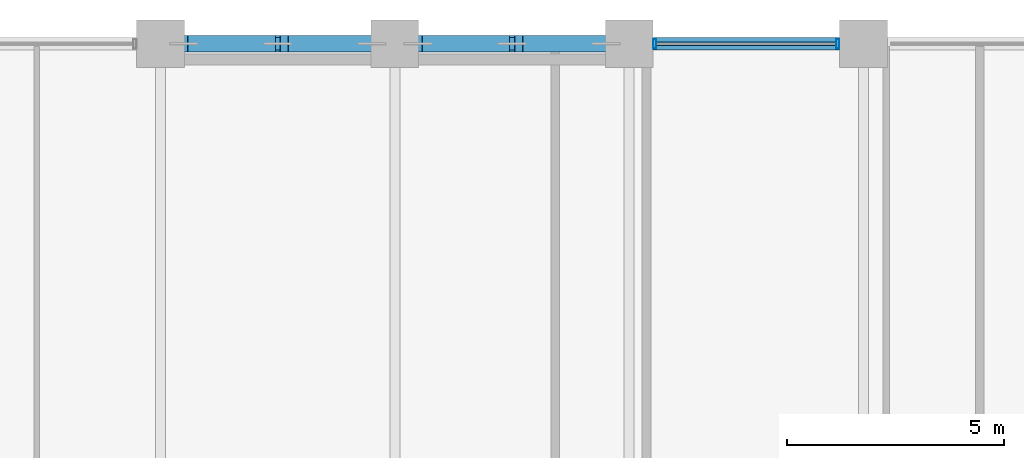
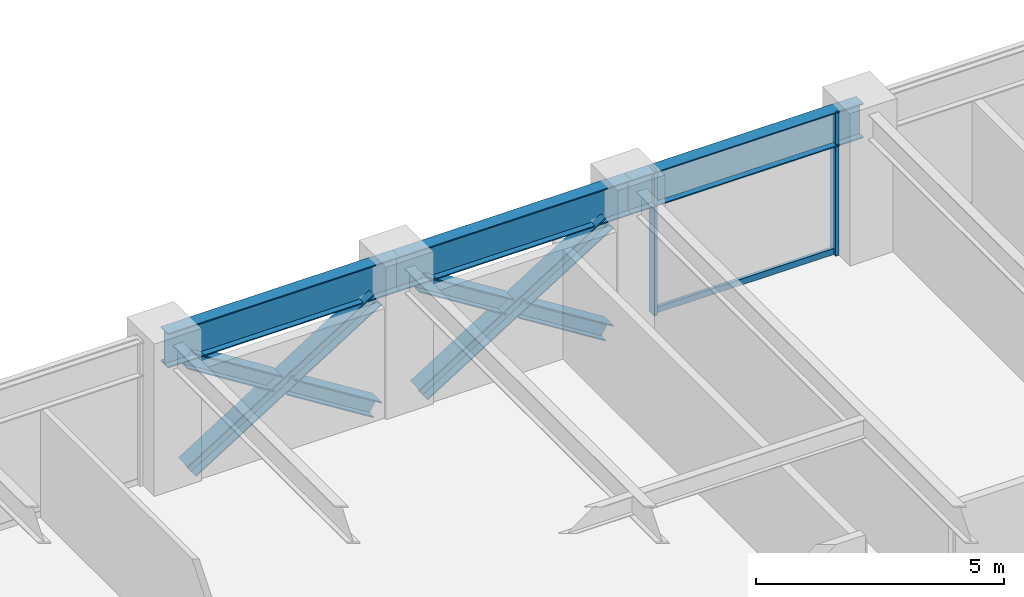
# One storey, part 15 of 25: 9 members, 3 beams, 1 element without a shape of its own.
"""IFC4 building model written with IfcOpenShell, lengths in metres."""

from ifc_helpers import new_model, si_unit, direction, frame, origin, origin_2d, place, context, subcontext, project, spatial, hollow_rectangle, i_section, extrude, material, layer, layer_set, material_profile, profile_set, type_object, element, aggregate, save


model = new_model("IFC4")

# Units and contexts
model_context = context("Model", 3, precision=1e-05, world=origin(), true_north=direction((0.0, 1.0)))
body_context = subcontext(model_context, "Body", "Model", "MODEL_VIEW")
ifc_project = project(units=[si_unit("LENGTHUNIT", "METRE"), si_unit("AREAUNIT", "SQUARE_METRE"), si_unit("VOLUMEUNIT", "CUBIC_METRE"), si_unit("PLANEANGLEUNIT", "RADIAN"), si_unit("MASSUNIT", "GRAM", prefix="KILO")], contexts=[model_context])

# Site, building, storey
site_placement = place(None, origin())
site = spatial("IfcSite", under=ifc_project, at=site_placement, CompositionType="ELEMENT")
building_placement = place(site_placement, origin())
building = spatial("IfcBuilding", under=site, at=building_placement, Name="Surkhivell Harbour Commons", CompositionType="ELEMENT")
storey_placement = place(building_placement, frame((0.0, 0.0, 94.5)))
storey = spatial("IfcBuildingStorey", under=building, at=storey_placement, Name="L24", CompositionType="ELEMENT", Elevation=94.5)

# Beams
ifc_material_1 = material(Name="Steel S460", Category="steel")
ifc_material_profile_1 = material_profile(ifc_material_1, i_section(OverallWidth=0.2939453125, OverallDepth=0.85107421875, WebThickness=0.01611328125, FlangeThickness=0.02685546875, at=origin_2d()), Name="UB838x292x226")
ifc_profile_set_1 = profile_set([ifc_material_profile_1], Name="Steel S460")
beam_type = type_object("IfcBeamType", Name="BM-SPN-838", PredefinedType="SPANDREL", material=ifc_profile_set_1)
for number, where, z_axis, x_axis, name in (
    (1, (-5.39990234375, 25.89990234375, 3.14453125), (1.0, 0.0, 0.0), (0.0, 1.0, 0.0), "L24 Tube Spandrel (-5.4,25.9)"),
    (2, (0.0, 25.89990234375, 3.14453125), (1.0, 0.0, 0.0), (0.0, 1.0, 0.0), "L24 Tube Spandrel (-0.0,25.9)"),
):
    element("IfcBeam", number, at=place(storey_placement, frame(where, z_axis=z_axis, x_axis=x_axis)), inside=storey, type_object=beam_type, Name=name, PredefinedType="SPANDREL", context=body_context, shape_type="SweptSolid", body=[
        extrude(i_section(OverallWidth=0.2939453125, OverallDepth=0.85107421875, WebThickness=0.01611328125, FlangeThickness=0.02685546875, at=origin_2d()), origin(), (0.0, 0.0, 1.0), 5.39990234375),
    ])
beam_placement = place(storey_placement, frame((5.39990234375, 25.89990234375, 3.14453125), z_axis=(1.0, 0.0, 0.0), x_axis=(0.0, 1.0, 0.0)))
element("IfcBeam", 3, at=beam_placement, inside=storey, type_object=beam_type, Name="L24 Tube Spandrel (5.4,25.9)", PredefinedType="SPANDREL", context=body_context, shape_type="SweptSolid", body=[
    extrude(i_section(OverallWidth=0.2939453125, OverallDepth=0.85107421875, WebThickness=0.01611328125, FlangeThickness=0.02685546875, at=origin_2d()), origin(), (0.0, 0.0, 1.0), 5.400146484375),
])

# Curtain wall, members
ifc_material_2 = material(Name="Anodised pale-metal aluminium and insulated glazing", Category="aluminium")
ifc_layer = layer(ifc_material_2, 0.205078125)
ifc_layer_set = layer_set([ifc_layer], Name="Anodised pale-metal aluminium and insulated glazing")
curtain_wall_type = type_object("IfcCurtainWallType", Name="CW-SYS-Z2", PredefinedType="NOTDEFINED", material=ifc_layer_set)
curtain_wall_placement = place(storey_placement, origin())
curtain_wall = element("IfcCurtainWall", 4, at=curtain_wall_placement, inside=storey, type_object=curtain_wall_type, Name="L24 Curtain Wall CW-L24-E07S1", PredefinedType="NOTDEFINED")
ifc_material_3 = material(Name="Anodised pale-metal aluminium alloy 6063-T6", Category="aluminium")
ifc_material_profile_2 = material_profile(ifc_material_3, hollow_rectangle(XDim=0.074951171875, YDim=0.219970703125, WallThickness=0.00390625, at=origin_2d()), Name="ALU-MULL-75x220")
ifc_profile_set_2 = profile_set([ifc_material_profile_2], Name="Anodised pale-metal aluminium alloy 6063-T6")
member_type_1 = type_object("IfcMemberType", Name="CWM-220", PredefinedType="MULLION", material=ifc_profile_set_2)
member_1_placement = place(storey_placement, frame((10.21044921875, 25.89990234375, 0.0), z_axis=(0.0, 0.0, 1.0), x_axis=(-1.0, 0.0, 0.0)))
member_1 = element("IfcMember", 5, at=member_1_placement, type_object=member_type_1, Name="CW-Z2 mullion 2", PredefinedType="MULLION", context=body_context, shape_type="SweptSolid", body=[
    extrude(hollow_rectangle(XDim=0.074951171875, YDim=0.219970703125, WallThickness=0.00390625, at=origin_2d()), origin(), (0.0, 0.0, 1.0), 3.570068359375),
])
member_2_placement = place(storey_placement, frame((5.989501953125, 25.89990234375, 0.0), z_axis=(0.0, 0.0, 1.0), x_axis=(-1.0, 0.0, 0.0)))
member_2 = element("IfcMember", 6, at=member_2_placement, type_object=member_type_1, Name="CW-Z2 mullion 3", PredefinedType="MULLION", context=body_context, shape_type="SweptSolid", body=[
    extrude(hollow_rectangle(XDim=0.074951171875, YDim=0.219970703125, WallThickness=0.00390625, at=origin_2d()), origin(), (0.0, 0.0, 1.0), 3.570068359375),
])
ifc_material_profile_3 = material_profile(ifc_material_3, hollow_rectangle(XDim=0.074951171875, YDim=0.14990234375, WallThickness=0.00341796875, at=origin_2d()), Name="ALU-TRAN-75x150")
ifc_profile_set_3 = profile_set([ifc_material_profile_3], Name="Anodised pale-metal aluminium alloy 6063-T6")
member_type_2 = type_object("IfcMemberType", Name="CWT-150", PredefinedType="USERDEFINED", material=ifc_profile_set_3)
member_3_placement = place(storey_placement, frame((10.173095703125, 25.89990234375, 0.074951171875), z_axis=(-1.0, 0.0, 0.0), x_axis=(0.0, -1.0, 0.0)))
member_3 = element("IfcMember", 7, at=member_3_placement, type_object=member_type_2, Name="CW-Z2 transom 2.1", ObjectType="TRANSOM", PredefinedType="USERDEFINED", context=body_context, shape_type="SweptSolid", body=[
    extrude(hollow_rectangle(XDim=0.074951171875, YDim=0.14990234375, WallThickness=0.00341796875, at=origin_2d()), origin(), (0.0, 0.0, 1.0), 4.14599609375),
])
aggregate(curtain_wall, [member_1, member_2, member_3])

# Members
ifc_material_profile_4 = material_profile(ifc_material_1, i_section(OverallWidth=0.375, OverallDepth=0.375, WebThickness=0.0166015625, FlangeThickness=0.027099609375, at=origin_2d()), Name="UC356x368x202")
ifc_profile_set_4 = profile_set([ifc_material_profile_4], Name="Steel S460")
member_type_3 = type_object("IfcMemberType", Name="MEM-BRC-UC356", PredefinedType="BRACE", material=ifc_profile_set_4)
member_4_placement = place(storey_placement, frame((-4.864990234375, 25.89990234375, 0.008056640625), z_axis=(0.847246015888, 0.0, 0.531200704594), x_axis=(0.0, 1.0, 0.0)))
element("IfcMember", 8, at=member_4_placement, inside=storey, type_object=member_type_3, Name="L24 Perimeter Mega-Brace MB- 01", PredefinedType="BRACE", context=body_context, shape_type="SweptSolid", body=[
    extrude(i_section(OverallWidth=0.375, OverallDepth=0.375, WebThickness=0.0166015625, FlangeThickness=0.027099609375, at=origin_2d()), origin(), (0.0, 0.0, 1.0), 5.11083984375),
])
member_5_placement = place(storey_placement, frame((-0.534912109375, 25.89990234375, 0.008056640625), z_axis=(-0.8472353132, 0.0, 0.531217774615), x_axis=(0.0, -1.0, 0.0)))
element("IfcMember", 9, at=member_5_placement, inside=storey, type_object=member_type_3, Name="L24 Perimeter Mega-Brace MB- 02", PredefinedType="BRACE", context=body_context, shape_type="SweptSolid", body=[
    extrude(i_section(OverallWidth=0.375, OverallDepth=0.375, WebThickness=0.0166015625, FlangeThickness=0.027099609375, at=origin_2d()), origin(), (0.0, 0.0, 1.0), 2.37548828125),
])
member_6_placement = place(storey_placement, frame((-2.8525390625, 25.89990234375, 1.461181640625), z_axis=(-0.84725256761, 0.0, 0.53119025469), x_axis=(0.0, -1.0, 0.0)))
element("IfcMember", 10, at=member_6_placement, inside=storey, type_object=member_type_3, Name="L24 Perimeter Mega-Brace MB- 03", PredefinedType="BRACE", context=body_context, shape_type="SweptSolid", body=[
    extrude(i_section(OverallWidth=0.375, OverallDepth=0.375, WebThickness=0.0166015625, FlangeThickness=0.027099609375, at=origin_2d()), origin(), (0.0, 0.0, 1.0), 2.375244140625),
])
member_7_placement = place(storey_placement, frame((0.534912109375, 25.89990234375, 0.008056640625), z_axis=(0.847246015888, 0.0, 0.531200704594), x_axis=(0.0, 1.0, 0.0)))
element("IfcMember", 11, at=member_7_placement, inside=storey, type_object=member_type_3, Name="L24 Perimeter Mega-Brace MB- 04", PredefinedType="BRACE", context=body_context, shape_type="SweptSolid", body=[
    extrude(i_section(OverallWidth=0.375, OverallDepth=0.375, WebThickness=0.0166015625, FlangeThickness=0.027099609375, at=origin_2d()), origin(), (0.0, 0.0, 1.0), 5.11083984375),
])
for number, where, z_axis, x_axis, name in (
    (12, (4.864990234375, 25.89990234375, 0.008056640625), (-0.847206308526, 0.0, 0.53126403115), (0.0, -1.0, 0.0), "L24 Perimeter Mega-Brace MB- 05"),
    (13, (2.547607421875, 25.89990234375, 1.461181640625), (-0.847281565812, 0.0, 0.531143999529), (0.0, -1.0, 0.0), "L24 Perimeter Mega-Brace MB- 06"),
):
    element("IfcMember", number, at=place(storey_placement, frame(where, z_axis=z_axis, x_axis=x_axis)), inside=storey, type_object=member_type_3, Name=name, PredefinedType="BRACE", context=body_context, shape_type="SweptSolid", body=[
        extrude(i_section(OverallWidth=0.375, OverallDepth=0.375, WebThickness=0.0166015625, FlangeThickness=0.027099609375, at=origin_2d()), origin(), (0.0, 0.0, 1.0), 2.37548828125),
    ])

save(model, "model.ifc")
